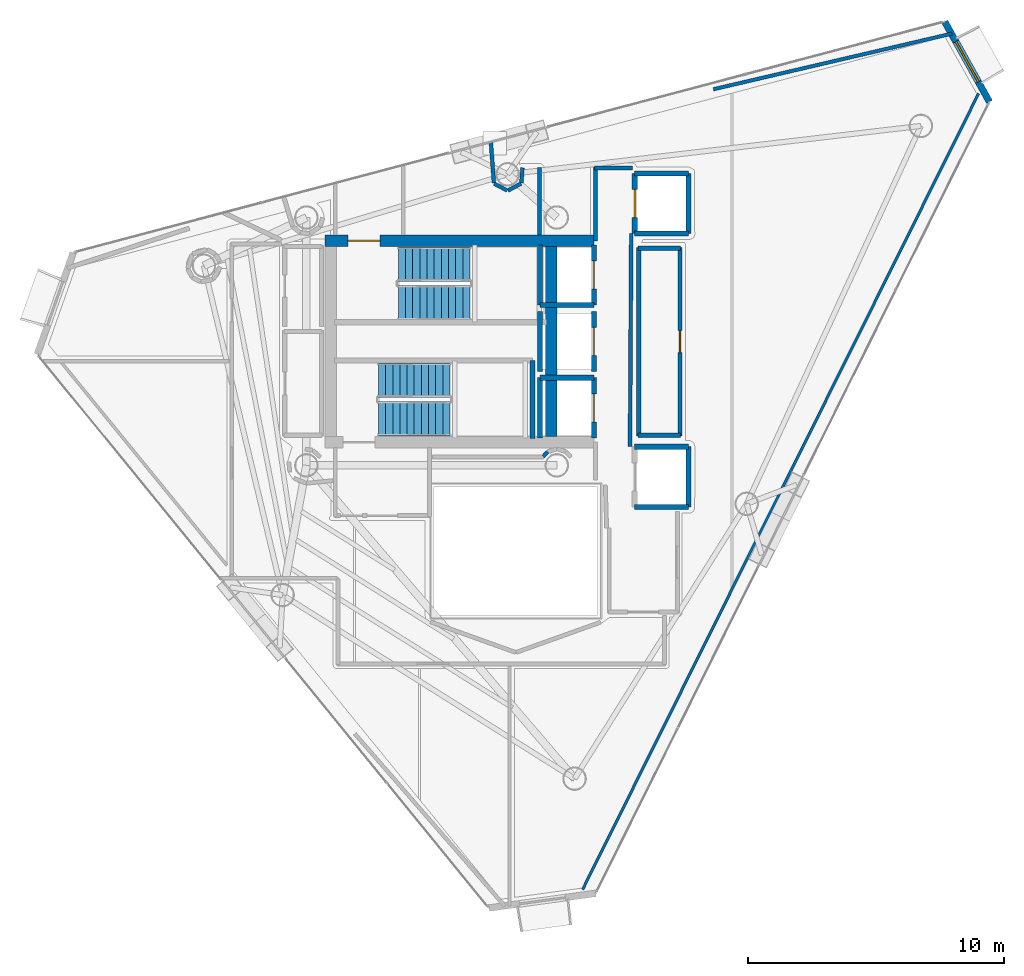
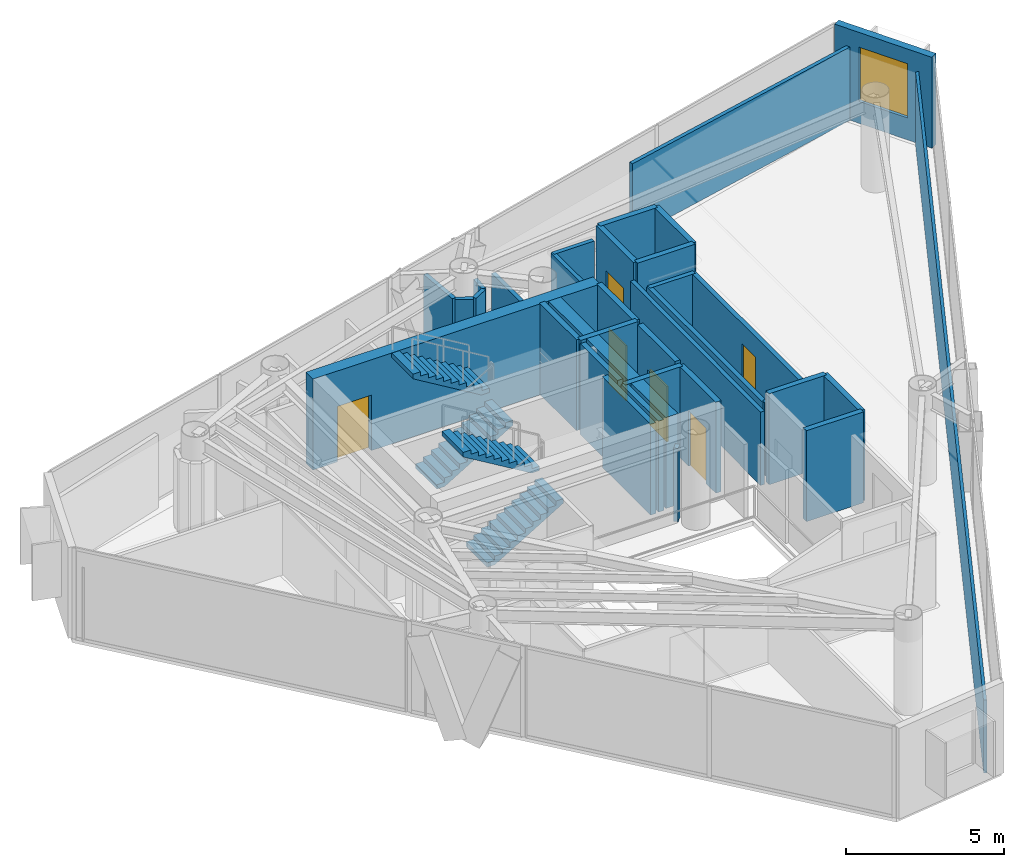
# One storey, part 20 of 23: 34 walls, 6 doors, 4 stair flights, 1 window, 7 openings, 2 elements without a shape of their own.
"""IFC4 building model written with IfcOpenShell, lengths in metres."""

from ifc_helpers import new_model, si_unit, direction, frame, frame_2d, origin, place, context, subcontext, project, spatial, polyline, rectangle, outline, extrude, material, layer, layer_set, type_object, element, fill, aggregate, save


model = new_model("IFC4")

# Units and contexts
model_context = context("Model", 3, precision=1e-05, world=origin(), true_north=direction((0.0, 1.0)))
body_context = subcontext(model_context, "Body", "Model", "MODEL_VIEW")
ifc_project = project(units=[si_unit("LENGTHUNIT", "METRE"), si_unit("AREAUNIT", "SQUARE_METRE"), si_unit("VOLUMEUNIT", "CUBIC_METRE"), si_unit("PLANEANGLEUNIT", "RADIAN"), si_unit("MASSUNIT", "GRAM", prefix="KILO")], contexts=[model_context])

# Site, building, storey
site_placement = place(None, origin())
site = spatial("IfcSite", under=ifc_project, at=site_placement, CompositionType="ELEMENT")
building_placement = place(site_placement, origin())
building = spatial("IfcBuilding", under=site, at=building_placement, Name="Qianvela Tower", CompositionType="ELEMENT")
storey_placement = place(building_placement, frame((0.0, 0.0, 313.89990234375)))
storey = spatial("IfcBuildingStorey", under=building, at=storey_placement, Name="L81", CompositionType="ELEMENT", Elevation=313.89990234375)

# Wall, opening, window
ifc_material_1 = material(Name="Terracotta Cladding on Concrete C40", Category="masonry")
ifc_layer_1 = layer(ifc_material_1, 0.260009765625)
ifc_layer_set_1 = layer_set([ifc_layer_1], Name="Terracotta Cladding on Concrete C40")
wall_type_1 = type_object("IfcWallType", Name="TERRACOTTA-WALL-260", PredefinedType="SOLIDWALL", material=ifc_layer_set_1)
wall_1_placement = place(storey_placement, frame((55.33447265625, 38.0791015625, 0.0), z_axis=(0.0, 0.0, 1.0), x_axis=(-0.487504666084, 0.873120381475, 0.0)))
wall_1 = element("IfcWall", 1, at=wall_1_placement, inside=storey, type_object=wall_type_1, Name="L81 Terracotta Chamfer Facet Wall 1", PredefinedType="SOLIDWALL", context=body_context, shape_type="SweptSolid", body=[
    extrude(rectangle(XDim=3.59423828125, YDim=0.260009765625, at=frame_2d((1.797119140625, 0.0))), origin(), (0.0, 0.0, 1.0), 3.52001953125),
])
opening_1_placement = place(wall_1_placement, frame((0.89697265625, 0.0, 0.85009765625)))
opening_1 = element("IfcOpeningElement", 2, at=opening_1_placement, cuts=wall_1, Name="Opening W-01", PredefinedType="OPENING", context=body_context, shape_type="SweptSolid", body=[
    extrude(rectangle(XDim=1.800048828125, YDim=2.10009765625, at=frame_2d((0.89990234375, 1.050048828125))), frame((0.0, 0.139892578125, 0.0), z_axis=(0.0, -1.0, 0.0), x_axis=(1.0, 0.0, 0.0)), (0.0, 0.0, 1.0), 0.280029296875),
])
ifc_material_2 = material(Name="Thermally Broken Aluminium and Low-E Glass", Category="aluminium")
window_type = type_object("IfcWindowType", Name="WIN-TC-1800x2100", PartitioningType="DOUBLE_PANEL_VERTICAL", PredefinedType="WINDOW", material=ifc_material_2)
window_placement = place(opening_1_placement, origin())
window = element("IfcWindow", 3, at=window_placement, inside=storey, type_object=window_type, Name="L81 Chamfer Facet Window 1.1", OverallHeight=2.10009765625, OverallWidth=1.800048828125, PartitioningType="SINGLE_PANEL", PredefinedType="WINDOW", context=body_context, shape_type="SweptSolid", body=[
    extrude(rectangle(XDim=1.800048828125, YDim=2.10009765625, at=frame_2d((0.89990234375, 1.050048828125))), frame((0.0, 0.030029296875, 0.0), z_axis=(0.0, -1.0, 0.0), x_axis=(1.0, 0.0, 0.0)), (0.0, 0.0, 1.0), 0.06005859375),
])
fill(opening_1, window)

# Wall, opening, door
ifc_material_3 = material(Name="Concrete C50", Category="concrete")
ifc_layer_2 = layer(ifc_material_3, 0.449951171875)
ifc_layer_set_2 = layer_set([ifc_layer_2], Name="Concrete C50")
wall_type_2 = type_object("IfcWallType", Name="WT-CORE-450", PredefinedType="SHEAR", material=ifc_layer_set_2)
wall_2_placement = place(storey_placement, frame((29.330078125, 32.64501953125, 0.0), z_axis=(0.0, 0.0, 1.0), x_axis=(1.0, 0.0, 0.0)))
wall_2 = element("IfcWall", 4, at=wall_2_placement, inside=storey, type_object=wall_type_2, Name="L81 North Core Shear Wall", PredefinedType="SHEAR", context=body_context, shape_type="SweptSolid", body=[
    extrude(rectangle(XDim=10.52001953125, YDim=0.449951171875, at=frame_2d((5.260009765625, 0.0))), origin(), (0.0, 0.0, 1.0), 3.52001953125),
])
opening_2_placement = place(wall_2_placement, frame((0.89501953125, 0.0, 0.0)))
opening_2 = element("IfcOpeningElement", 5, at=opening_2_placement, cuts=wall_2, Name="Opening D-ST1", PredefinedType="OPENING", context=body_context, shape_type="SweptSolid", body=[
    extrude(rectangle(XDim=1.25, YDim=2.14990234375, at=frame_2d((0.625, 1.074951171875))), frame((0.0, 0.23486328125, 0.0), z_axis=(0.0, -1.0, 0.0), x_axis=(1.0, 0.0, 0.0)), (0.0, 0.0, 1.0), 0.469970703125),
])
ifc_material_4 = material(Name="Galvanised Fire Steel Q355B", Category="steel")
door_type_1 = type_object("IfcDoorType", Name="DT-STAIR-FD90", OperationType="NOTDEFINED", PredefinedType="DOOR", material=ifc_material_4)
door_1_placement = place(opening_2_placement, origin())
door_1 = element("IfcDoor", 6, at=door_1_placement, inside=storey, type_object=door_type_1, Name="L81 Stair ST-1 Exit Door", OperationType="SINGLE_SWING_RIGHT", OverallHeight=2.14990234375, OverallWidth=1.25, PredefinedType="DOOR", context=body_context, shape_type="SweptSolid", body=[
    extrude(rectangle(XDim=1.25, YDim=2.14990234375, at=frame_2d((0.625, 1.074951171875))), frame((0.0, 0.02490234375, 0.0), z_axis=(0.0, -1.0, 0.0), x_axis=(1.0, 0.0, 0.0)), (0.0, 0.0, 1.0), 0.050048828125),
])
fill(opening_2, door_1)

# Walls
wall_3_placement = place(storey_placement, frame((38.179931640625, 24.97998046875, 0.0), z_axis=(0.0, 0.0, 1.0), x_axis=(0.0, 1.0, 0.0)))
element("IfcWall", 7, at=wall_3_placement, inside=storey, type_object=wall_type_2, Name="L81 East Spine Core Shear Wall", PredefinedType="SHEAR", context=body_context, shape_type="SweptSolid", body=[
    extrude(rectangle(XDim=7.43994140625, YDim=0.449951171875, at=frame_2d((3.719970703125, 0.0))), origin(), (0.0, 0.0, 1.0), 3.52001953125),
])
ifc_material_5 = material(Name="Fire-Rated Acoustic Gypsum Board")
ifc_layer_3 = layer(ifc_material_5, 0.14990234375)
ifc_layer_set_3 = layer_set([ifc_layer_3], Name="Fire-Rated Acoustic Gypsum Board")
wall_type_3 = type_object("IfcWallType", Name="WT-CORR-150", PredefinedType="PARTITIONING", material=ifc_layer_set_3)
wall_4_placement = place(storey_placement, frame((39.910888671875, 32.639892578125, 0.0), z_axis=(0.0, 0.0, 1.0), x_axis=(0.0, 1.0, 0.0)))
element("IfcWall", 8, at=wall_4_placement, inside=storey, type_object=wall_type_3, Name="L81 Partition 12", PredefinedType="PARTITIONING", context=body_context, shape_type="SweptSolid", body=[
    extrude(rectangle(XDim=2.880126953125, YDim=0.14990234375, at=frame_2d((1.43994140625, 0.0))), origin(), (0.0, 0.0, 1.0), 2.840087890625),
])
wall_5_placement = place(storey_placement, frame((39.8798828125, 35.489013671875, 0.0), z_axis=(0.0, 0.0, 1.0), x_axis=(1.0, 0.0, 0.0)))
element("IfcWall", 9, at=wall_5_placement, inside=storey, type_object=wall_type_3, Name="L81 Partition 13", PredefinedType="PARTITIONING", context=body_context, shape_type="SweptSolid", body=[
    extrude(rectangle(XDim=1.480224609375, YDim=0.14990234375, at=frame_2d((0.740234375, 0.0))), origin(), (0.0, 0.0, 1.0), 2.840087890625),
])
wall_6_placement = place(storey_placement, frame((41.3134765625, 32.919921875, 0.0), z_axis=(0.0, 0.0, 1.0), x_axis=(-0.005942518022, -0.999982343084, 0.0)))
element("IfcWall", 10, at=wall_6_placement, inside=storey, type_object=wall_type_3, Name="L81 Partition 14 seg 2", PredefinedType="PARTITIONING", context=body_context, shape_type="SweptSolid", body=[
    extrude(rectangle(XDim=8.340087890625, YDim=0.14990234375, at=frame_2d((4.169921875, 0.0))), origin(), (0.0, 0.0, 1.0), 2.840087890625),
])
wall_7_placement = place(storey_placement, frame((38.0380859375, 24.378173828125, 0.0), z_axis=(0.0, 0.0, 1.0), x_axis=(-0.673658387955, -0.739042878551, 0.0)))
element("IfcWall", 11, at=wall_7_placement, inside=storey, type_object=wall_type_3, Name="L81 Partition 36", PredefinedType="PARTITIONING", context=body_context, shape_type="SweptSolid", body=[
    extrude(rectangle(XDim=0.246337890625, YDim=0.14990234375, at=frame_2d((0.123046875, 0.0))), origin(), (0.0, 0.0, 1.0), 2.840087890625),
])
wall_8_placement = place(storey_placement, frame((35.818359375, 36.528564453125, 0.0), z_axis=(0.0, 0.0, 1.0), x_axis=(0.073342389609, -0.997306820335, 0.0)))
element("IfcWall", 12, at=wall_8_placement, inside=storey, type_object=wall_type_3, Name="L81 Partition 49", PredefinedType="PARTITIONING", context=body_context, shape_type="SweptSolid", body=[
    extrude(rectangle(XDim=1.631103515625, YDim=0.14990234375, at=frame_2d((0.8154296875, 0.0))), origin(), (0.0, 0.0, 1.0), 2.840087890625),
])
for number, where, z_axis, x_axis, name in (
    (13, (35.9541015625, 34.876708984375, 0.0), (0.0, 0.0, 1.0), (0.882047254832, -0.471160949405, 0.0), "L81 Partition 50"),
    (14, (36.490478515625, 34.605712890625, 0.0), (0.0, 0.0, 1.0), (0.882047254832, 0.471160949405, 0.0), "L81 Partition 51"),
):
    element("IfcWall", number, at=place(storey_placement, frame(where, z_axis=z_axis, x_axis=x_axis)), inside=storey, type_object=wall_type_3, Name=name, PredefinedType="PARTITIONING", context=body_context, shape_type="SweptSolid", body=[
        extrude(rectangle(XDim=0.5751953125, YDim=0.14990234375, at=frame_2d((0.28759765625, 0.0))), origin(), (0.0, 0.0, 1.0), 2.840087890625),
    ])
wall_9_placement = place(storey_placement, frame((37.01416015625, 34.90185546875, 0.0), z_axis=(0.0, 0.0, 1.0), x_axis=(0.073134230676, 0.997322106595, 0.0)))
element("IfcWall", 15, at=wall_9_placement, inside=storey, type_object=wall_type_3, Name="L81 Partition 52", PredefinedType="PARTITIONING", context=body_context, shape_type="SweptSolid", body=[
    extrude(rectangle(XDim=0.59765625, YDim=0.14990234375, at=frame_2d((0.298828125, 0.0))), origin(), (0.0, 0.0, 1.0), 2.840087890625),
])
wall_10_placement = place(storey_placement, frame((37.718994140625, 35.5, 0.0), z_axis=(0.0, 0.0, 1.0), x_axis=(0.0, -1.0, 0.0)))
element("IfcWall", 16, at=wall_10_placement, inside=storey, type_object=wall_type_3, Name="L81 Partition 54", PredefinedType="PARTITIONING", context=body_context, shape_type="SweptSolid", body=[
    extrude(rectangle(XDim=2.64208984375, YDim=0.14990234375, at=frame_2d((1.321044921875, 0.0))), origin(), (0.0, 0.0, 1.0), 2.840087890625),
])
ifc_material_6 = material(Name="Lightweight Gypsum Room Partition")
ifc_layer_4 = layer(ifc_material_6, 0.10498046875)
ifc_layer_set_4 = layer_set([ifc_layer_4], Name="Lightweight Gypsum Room Partition")
wall_type_4 = type_object("IfcWallType", Name="WT-PART-105", PredefinedType="PARTITIONING", material=ifc_layer_set_4)
wall_11_placement = place(storey_placement, frame((54.90625, 38.399658203125, 0.0), z_axis=(0.0, 0.0, 1.0), x_axis=(-0.445365926059, -0.895348642656, 0.0)))
element("IfcWall", 17, at=wall_11_placement, inside=storey, type_object=wall_type_4, Name="L81 Partition 94", PredefinedType="PARTITIONING", context=body_context, shape_type="SweptSolid", body=[
    extrude(rectangle(XDim=34.795654296875, YDim=0.10498046875, at=frame_2d((17.39794921875, 0.0))), origin(), (0.0, 0.0, 1.0), 2.840087890625),
])
ifc_material_7 = material(Name="Sanitary Service Chase Partition")
ifc_layer_5 = layer(ifc_material_7, 0.1650390625)
ifc_layer_set_5 = layer_set([ifc_layer_5], Name="Sanitary Service Chase Partition")
wall_type_5 = type_object("IfcWallType", Name="WT-PLUMB-165", PredefinedType="PLUMBINGWALL", material=ifc_layer_set_5)
wall_12_placement = place(storey_placement, frame((43.25, 25.031005859375, 0.0), z_axis=(0.0, 0.0, 1.0), x_axis=(-1.0, 0.0, 0.0)))
element("IfcWall", 18, at=wall_12_placement, inside=storey, type_object=wall_type_5, Name="L81 Partition 19", PredefinedType="PLUMBINGWALL", context=body_context, shape_type="SweptSolid", body=[
    extrude(rectangle(XDim=1.669921875, YDim=0.1650390625, at=frame_2d((0.8349609375, 0.0))), origin(), (0.0, 0.0, 1.0), 2.840087890625),
])
wall_13_placement = place(storey_placement, frame((41.611083984375, 25.0, 0.0), z_axis=(0.0, 0.0, 1.0), x_axis=(0.0, 1.0, 0.0)))
element("IfcWall", 19, at=wall_13_placement, inside=storey, type_object=wall_type_5, Name="L81 Partition 20", PredefinedType="PLUMBINGWALL", context=body_context, shape_type="SweptSolid", body=[
    extrude(rectangle(XDim=7.3798828125, YDim=0.1650390625, at=frame_2d((3.68994140625, 0.0))), origin(), (0.0, 0.0, 1.0), 2.840087890625),
])
wall_14_placement = place(storey_placement, frame((41.580078125, 32.34912109375, 0.0), z_axis=(0.0, 0.0, 1.0), x_axis=(1.0, 0.0, 0.0)))
element("IfcWall", 20, at=wall_14_placement, inside=storey, type_object=wall_type_5, Name="L81 Partition 21", PredefinedType="PLUMBINGWALL", context=body_context, shape_type="SweptSolid", body=[
    extrude(rectangle(XDim=1.669921875, YDim=0.1650390625, at=frame_2d((0.8349609375, 0.0))), origin(), (0.0, 0.0, 1.0), 2.840087890625),
])

# Wall, opening, door
wall_15_placement = place(storey_placement, frame((43.218994140625, 32.3798828125, 0.0), z_axis=(0.0, 0.0, 1.0), x_axis=(0.0, -1.0, 0.0)))
wall_15 = element("IfcWall", 21, at=wall_15_placement, inside=storey, type_object=wall_type_5, Name="L81 Partition 22", PredefinedType="PLUMBINGWALL", context=body_context, shape_type="SweptSolid", body=[
    extrude(rectangle(XDim=7.3798828125, YDim=0.1650390625, at=frame_2d((3.68994140625, 0.0))), origin(), (0.0, 0.0, 1.0), 2.840087890625),
])
opening_3_placement = place(wall_15_placement, frame((3.260009765625, 0.0, 0.0)))
opening_3 = element("IfcOpeningElement", 22, at=opening_3_placement, cuts=wall_15, Name="Opening D-WC1", PredefinedType="OPENING", context=body_context, shape_type="SweptSolid", body=[
    extrude(rectangle(XDim=0.860107421875, YDim=2.050048828125, at=frame_2d((0.43017578125, 1.02490234375))), frame((0.0, 0.092529296875, 0.0), z_axis=(0.0, -1.0, 0.0), x_axis=(1.0, 0.0, 0.0)), (0.0, 0.0, 1.0), 0.18505859375),
])
ifc_material_8 = material(Name="Moisture-Sealed Acoustic Timber Door", Category="wood")
door_type_2 = type_object("IfcDoorType", Name="DT-WC-860", OperationType="NOTDEFINED", PredefinedType="DOOR", material=ifc_material_8)
door_2_placement = place(opening_3_placement, origin())
door_2 = element("IfcDoor", 23, at=door_2_placement, inside=storey, type_object=door_type_2, Name="L81 Door L81 Accessible WC to Graduate Seminar Classroom L81-03", OperationType="SINGLE_SWING_RIGHT", OverallHeight=2.050048828125, OverallWidth=0.860107421875, PredefinedType="DOOR", context=body_context, shape_type="SweptSolid", body=[
    extrude(rectangle(XDim=0.860107421875, YDim=2.050048828125, at=frame_2d((0.43017578125, 1.02490234375))), frame((0.0, 0.02490234375, 0.0), z_axis=(0.0, -1.0, 0.0), x_axis=(1.0, 0.0, 0.0)), (0.0, 0.0, 1.0), 0.050048828125),
])
fill(opening_3, door_2)

# Walls
ifc_material_9 = material(Name="Acoustic Double Gypsum Stud Partition")
ifc_layer_6 = layer(ifc_material_9, 0.139892578125)
ifc_layer_set_6 = layer_set([ifc_layer_6], Name="Acoustic Double Gypsum Stud Partition")
wall_type_6 = type_object("IfcWallType", Name="WT-ROOM-140", PredefinedType="PARTITIONING", material=ifc_layer_set_6)
wall_16_placement = place(storey_placement, frame((44.529296875, 38.569091796875, 0.0), z_axis=(0.0, 0.0, 1.0), x_axis=(0.973827684703, 0.227287572264, 0.0)))
element("IfcWall", 24, at=wall_16_placement, inside=storey, type_object=wall_type_6, Name="L81 Partition 92 seg 1", PredefinedType="PARTITIONING", context=body_context, shape_type="SweptSolid", body=[
    extrude(rectangle(XDim=9.587890625, YDim=0.139892578125, at=frame_2d((4.7939453125, 0.0))), origin(), (0.0, 0.0, 1.0), 2.840087890625),
])
ifc_material_10 = material(Name="Concrete C50", Category="concrete")
ifc_layer_7 = layer(ifc_material_10, 0.199951171875)
ifc_layer_set_7 = layer_set([ifc_layer_7], Name="Concrete C50")
wall_type_7 = type_object("IfcWallType", Name="WT-SHAFT-200", PredefinedType="SOLIDWALL", material=ifc_layer_set_7)
wall_17_placement = place(storey_placement, frame((37.449951171875, 24.89990234375, 0.0), z_axis=(0.0, 0.0, 1.0), x_axis=(0.0, 1.0, 0.0)))
element("IfcWall", 25, at=wall_17_placement, inside=storey, type_object=wall_type_7, Name="L81 Stair ST-2 East Wall", PredefinedType="SOLIDWALL", context=body_context, shape_type="SweptSolid", body=[
    extrude(rectangle(XDim=3.06005859375, YDim=0.199951171875, at=frame_2d((1.530029296875, 0.0))), origin(), (0.0, 0.0, 1.0), 3.52001953125),
])

# Wall, opening, door
wall_18_placement = place(storey_placement, frame((39.85009765625, 30.1201171875, 0.0), z_axis=(0.0, 0.0, 1.0), x_axis=(0.0, 1.0, 0.0)))
wall_18 = element("IfcWall", 26, at=wall_18_placement, inside=storey, type_object=wall_type_7, Name="L81 Lift FL-1 E Shaft Wall", PredefinedType="SOLIDWALL", context=body_context, shape_type="SweptSolid", body=[
    extrude(rectangle(XDim=2.35986328125, YDim=0.199951171875, at=frame_2d((1.179931640625, 0.0))), origin(), (0.0, 0.0, 1.0), 3.52001953125),
])
opening_4_placement = place(wall_18_placement, frame((0.6298828125, 0.0, 0.0)))
opening_4 = element("IfcOpeningElement", 27, at=opening_4_placement, cuts=wall_18, Name="Opening LD-01", PredefinedType="OPENING", context=body_context, shape_type="SweptSolid", body=[
    extrude(rectangle(XDim=1.10009765625, YDim=2.14990234375, at=frame_2d((0.550048828125, 1.074951171875))), frame((0.0, 0.10986328125, 0.0), z_axis=(0.0, -1.0, 0.0), x_axis=(1.0, 0.0, 0.0)), (0.0, 0.0, 1.0), 0.219970703125),
])
ifc_material_11 = material(Name="Brushed Stainless Steel Lift Landing Door", Category="steel")
door_type_3 = type_object("IfcDoorType", Name="DT-LIFT-SLIDE-1100", OperationType="SLIDING_TO_LEFT", PredefinedType="DOOR", material=ifc_material_11)
door_3_placement = place(opening_4_placement, origin())
door_3 = element("IfcDoor", 28, at=door_3_placement, inside=storey, type_object=door_type_3, Name="L81 Lift FL-1 Sliding Landing Door", OperationType="SLIDING_TO_LEFT", OverallHeight=2.14990234375, OverallWidth=1.10009765625, PredefinedType="DOOR", context=body_context, shape_type="SweptSolid", body=[
    extrude(rectangle(XDim=1.10009765625, YDim=2.14990234375, at=frame_2d((0.550048828125, 1.074951171875))), frame((0.0, 0.02490234375, 0.0), z_axis=(0.0, -1.0, 0.0), x_axis=(1.0, 0.0, 0.0)), (0.0, 0.0, 1.0), 0.050048828125),
])
fill(opening_4, door_3)

# Walls
wall_19_placement = place(storey_placement, frame((37.75, 30.1201171875, 0.0), z_axis=(0.0, 0.0, 1.0), x_axis=(0.0, 1.0, 0.0)))
element("IfcWall", 29, at=wall_19_placement, inside=storey, type_object=wall_type_7, Name="L81 Lift FL-1 W Shaft Wall", PredefinedType="SOLIDWALL", context=body_context, shape_type="SweptSolid", body=[
    extrude(rectangle(XDim=2.35986328125, YDim=0.199951171875, at=frame_2d((1.179931640625, 0.0))), origin(), (0.0, 0.0, 1.0), 3.52001953125),
])
wall_20_placement = place(storey_placement, frame((37.75, 30.1201171875, 0.0), z_axis=(0.0, 0.0, 1.0), x_axis=(1.0, 0.0, 0.0)))
element("IfcWall", 30, at=wall_20_placement, inside=storey, type_object=wall_type_7, Name="L81 Lift FL-1 S Shaft Wall", PredefinedType="SOLIDWALL", context=body_context, shape_type="SweptSolid", body=[
    extrude(rectangle(XDim=2.10009765625, YDim=0.199951171875, at=frame_2d((1.050048828125, 0.0))), origin(), (0.0, 0.0, 1.0), 3.52001953125),
])

# Wall, opening, door
wall_21_placement = place(storey_placement, frame((39.85009765625, 24.919921875, 0.0), z_axis=(0.0, 0.0, 1.0), x_axis=(0.0, 1.0, 0.0)))
wall_21 = element("IfcWall", 31, at=wall_21_placement, inside=storey, type_object=wall_type_7, Name="L81 Lift FL-2 E Shaft Wall", PredefinedType="SOLIDWALL", context=body_context, shape_type="SweptSolid", body=[
    extrude(rectangle(XDim=2.360107421875, YDim=0.199951171875, at=frame_2d((1.18017578125, 0.0))), origin(), (0.0, 0.0, 1.0), 3.52001953125),
])
opening_5_placement = place(wall_21_placement, frame((0.6298828125, 0.0, 0.0)))
opening_5 = element("IfcOpeningElement", 32, at=opening_5_placement, cuts=wall_21, Name="Opening LD-01", PredefinedType="OPENING", context=body_context, shape_type="SweptSolid", body=[
    extrude(rectangle(XDim=1.10009765625, YDim=2.14990234375, at=frame_2d((0.550048828125, 1.074951171875))), frame((0.0, 0.10986328125, 0.0), z_axis=(0.0, -1.0, 0.0), x_axis=(1.0, 0.0, 0.0)), (0.0, 0.0, 1.0), 0.219970703125),
])
door_4_placement = place(opening_5_placement, origin())
door_4 = element("IfcDoor", 33, at=door_4_placement, inside=storey, type_object=door_type_3, Name="L81 Lift FL-2 Sliding Landing Door", OperationType="SLIDING_TO_LEFT", OverallHeight=2.14990234375, OverallWidth=1.10009765625, PredefinedType="DOOR", context=body_context, shape_type="SweptSolid", body=[
    extrude(rectangle(XDim=1.10009765625, YDim=2.14990234375, at=frame_2d((0.550048828125, 1.074951171875))), frame((0.0, 0.02490234375, 0.0), z_axis=(0.0, -1.0, 0.0), x_axis=(1.0, 0.0, 0.0)), (0.0, 0.0, 1.0), 0.050048828125),
])
fill(opening_5, door_4)

# Walls
wall_22_placement = place(storey_placement, frame((37.75, 24.919921875, 0.0), z_axis=(0.0, 0.0, 1.0), x_axis=(0.0, 1.0, 0.0)))
element("IfcWall", 34, at=wall_22_placement, inside=storey, type_object=wall_type_7, Name="L81 Lift FL-2 W Shaft Wall", PredefinedType="SOLIDWALL", context=body_context, shape_type="SweptSolid", body=[
    extrude(rectangle(XDim=2.360107421875, YDim=0.199951171875, at=frame_2d((1.18017578125, 0.0))), origin(), (0.0, 0.0, 1.0), 3.52001953125),
])
wall_23_placement = place(storey_placement, frame((37.75, 27.280029296875, 0.0), z_axis=(0.0, 0.0, 1.0), x_axis=(1.0, 0.0, 0.0)))
element("IfcWall", 35, at=wall_23_placement, inside=storey, type_object=wall_type_7, Name="L81 Lift FL-2 N Shaft Wall", PredefinedType="SOLIDWALL", context=body_context, shape_type="SweptSolid", body=[
    extrude(rectangle(XDim=2.10009765625, YDim=0.199951171875, at=frame_2d((1.050048828125, 0.0))), origin(), (0.0, 0.0, 1.0), 3.52001953125),
])

# Wall, opening, door
wall_24_placement = place(storey_placement, frame((39.85009765625, 27.52001953125, 0.0), z_axis=(0.0, 0.0, 1.0), x_axis=(0.0, 1.0, 0.0)))
wall_24 = element("IfcWall", 36, at=wall_24_placement, inside=storey, type_object=wall_type_7, Name="L81 Lift PL-H1 E Shaft Wall", PredefinedType="SOLIDWALL", context=body_context, shape_type="SweptSolid", body=[
    extrude(rectangle(XDim=2.35986328125, YDim=0.199951171875, at=frame_2d((1.179931640625, 0.0))), origin(), (0.0, 0.0, 1.0), 3.52001953125),
])
opening_6_placement = place(wall_24_placement, frame((0.6298828125, 0.0, 0.0)))
opening_6 = element("IfcOpeningElement", 37, at=opening_6_placement, cuts=wall_24, Name="Opening LD-01", PredefinedType="OPENING", context=body_context, shape_type="SweptSolid", body=[
    extrude(rectangle(XDim=1.10009765625, YDim=2.14990234375, at=frame_2d((0.550048828125, 1.074951171875))), frame((0.0, 0.10986328125, 0.0), z_axis=(0.0, -1.0, 0.0), x_axis=(1.0, 0.0, 0.0)), (0.0, 0.0, 1.0), 0.219970703125),
])
door_5_placement = place(opening_6_placement, origin())
door_5 = element("IfcDoor", 38, at=door_5_placement, inside=storey, type_object=door_type_3, Name="L81 Lift PL-H1 Sliding Landing Door", OperationType="SLIDING_TO_LEFT", OverallHeight=2.14990234375, OverallWidth=1.10009765625, PredefinedType="DOOR", context=body_context, shape_type="SweptSolid", body=[
    extrude(rectangle(XDim=1.10009765625, YDim=2.14990234375, at=frame_2d((0.550048828125, 1.074951171875))), frame((0.0, 0.02490234375, 0.0), z_axis=(0.0, -1.0, 0.0), x_axis=(1.0, 0.0, 0.0)), (0.0, 0.0, 1.0), 0.050048828125),
])
fill(opening_6, door_5)

# Walls
wall_25_placement = place(storey_placement, frame((37.75, 27.52001953125, 0.0), z_axis=(0.0, 0.0, 1.0), x_axis=(0.0, 1.0, 0.0)))
element("IfcWall", 39, at=wall_25_placement, inside=storey, type_object=wall_type_7, Name="L81 Lift PL-H1 W Shaft Wall", PredefinedType="SOLIDWALL", context=body_context, shape_type="SweptSolid", body=[
    extrude(rectangle(XDim=2.35986328125, YDim=0.199951171875, at=frame_2d((1.179931640625, 0.0))), origin(), (0.0, 0.0, 1.0), 3.52001953125),
])
wall_26_placement = place(storey_placement, frame((43.550048828125, 22.219970703125, 0.0), z_axis=(0.0, 0.0, 1.0), x_axis=(0.0, 1.0, 0.0)))
element("IfcWall", 40, at=wall_26_placement, inside=storey, type_object=wall_type_7, Name="L81 Lift PL-H2 E Shaft Wall", PredefinedType="SOLIDWALL", context=body_context, shape_type="SweptSolid", body=[
    extrude(rectangle(XDim=2.360107421875, YDim=0.199951171875, at=frame_2d((1.18017578125, 0.0))), origin(), (0.0, 0.0, 1.0), 3.52001953125),
])
for number, where, z_axis, x_axis, name in (
    (41, (41.449951171875, 24.580078125, 0.0), (0.0, 0.0, 1.0), (1.0, 0.0, 0.0), "L81 Lift PL-H2 N Shaft Wall"),
    (42, (41.449951171875, 22.219970703125, 0.0), (0.0, 0.0, 1.0), (1.0, 0.0, 0.0), "L81 Lift PL-H2 S Shaft Wall"),
):
    element("IfcWall", number, at=place(storey_placement, frame(where, z_axis=z_axis, x_axis=x_axis)), inside=storey, type_object=wall_type_7, Name=name, PredefinedType="SOLIDWALL", context=body_context, shape_type="SweptSolid", body=[
        extrude(rectangle(XDim=2.10009765625, YDim=0.199951171875, at=frame_2d((1.050048828125, 0.0))), origin(), (0.0, 0.0, 1.0), 3.52001953125),
    ])
wall_27_placement = place(storey_placement, frame((43.550048828125, 32.919921875, 0.0), z_axis=(0.0, 0.0, 1.0), x_axis=(0.0, 1.0, 0.0)))
element("IfcWall", 43, at=wall_27_placement, inside=storey, type_object=wall_type_7, Name="L81 Lift PL-H3 E Shaft Wall", PredefinedType="SOLIDWALL", context=body_context, shape_type="SweptSolid", body=[
    extrude(rectangle(XDim=2.360107421875, YDim=0.199951171875, at=frame_2d((1.18017578125, 0.0))), origin(), (0.0, 0.0, 1.0), 3.52001953125),
])

# Wall, opening, door
wall_28_placement = place(storey_placement, frame((41.449951171875, 32.919921875, 0.0), z_axis=(0.0, 0.0, 1.0), x_axis=(0.0, 1.0, 0.0)))
wall_28 = element("IfcWall", 44, at=wall_28_placement, inside=storey, type_object=wall_type_7, Name="L81 Lift PL-H3 W Shaft Wall", PredefinedType="SOLIDWALL", context=body_context, shape_type="SweptSolid", body=[
    extrude(rectangle(XDim=2.360107421875, YDim=0.199951171875, at=frame_2d((1.18017578125, 0.0))), origin(), (0.0, 0.0, 1.0), 3.52001953125),
])
opening_7_placement = place(wall_28_placement, frame((0.6298828125, 0.0, 0.0)))
opening_7 = element("IfcOpeningElement", 45, at=opening_7_placement, cuts=wall_28, Name="Opening LD-01", PredefinedType="OPENING", context=body_context, shape_type="SweptSolid", body=[
    extrude(rectangle(XDim=1.10009765625, YDim=2.14990234375, at=frame_2d((0.550048828125, 1.074951171875))), frame((0.0, 0.10986328125, 0.0), z_axis=(0.0, -1.0, 0.0), x_axis=(1.0, 0.0, 0.0)), (0.0, 0.0, 1.0), 0.219970703125),
])
door_6_placement = place(opening_7_placement, origin())
door_6 = element("IfcDoor", 46, at=door_6_placement, inside=storey, type_object=door_type_3, Name="L81 Lift PL-H3 Sliding Landing Door", OperationType="SLIDING_TO_LEFT", OverallHeight=2.14990234375, OverallWidth=1.10009765625, PredefinedType="DOOR", context=body_context, shape_type="SweptSolid", body=[
    extrude(rectangle(XDim=1.10009765625, YDim=2.14990234375, at=frame_2d((0.550048828125, 1.074951171875))), frame((0.0, 0.02490234375, 0.0), z_axis=(0.0, -1.0, 0.0), x_axis=(1.0, 0.0, 0.0)), (0.0, 0.0, 1.0), 0.050048828125),
])
fill(opening_7, door_6)

# Walls
for number, where, z_axis, x_axis, name in (
    (47, (41.449951171875, 35.280029296875, 0.0), (0.0, 0.0, 1.0), (1.0, 0.0, 0.0), "L81 Lift PL-H3 N Shaft Wall"),
    (48, (41.449951171875, 32.919921875, 0.0), (0.0, 0.0, 1.0), (1.0, 0.0, 0.0), "L81 Lift PL-H3 S Shaft Wall"),
):
    element("IfcWall", number, at=place(storey_placement, frame(where, z_axis=z_axis, x_axis=x_axis)), inside=storey, type_object=wall_type_7, Name=name, PredefinedType="SOLIDWALL", context=body_context, shape_type="SweptSolid", body=[
        extrude(rectangle(XDim=2.10009765625, YDim=0.199951171875, at=frame_2d((1.050048828125, 0.0))), origin(), (0.0, 0.0, 1.0), 3.52001953125),
    ])

# Stair, stair flights
ifc_material_12 = material(Name="Concrete C40", Category="concrete")
stair_type = type_object("IfcStairType", Name="ST-DOGLEG-1350-R168-N22", PredefinedType="HALF_TURN_STAIR", material=ifc_material_12)
stair_1_placement = place(storey_placement, origin())
stair_1 = element("IfcStair", 49, at=stair_1_placement, inside=storey, type_object=stair_type, Name="L81 Smoke-Proof Core Stair ST-1", PredefinedType="HALF_TURN_STAIR")
ifc_material_13 = material(Name="Concrete C40", Category="concrete")
stair_flight_type = type_object("IfcStairFlightType", Name="STF-STRAIGHT-R168-P11", PredefinedType="STRAIGHT", material=ifc_material_13)
stair_flight_1_placement = place(storey_placement, frame((32.199951171875, 30.215087890625, 0.0), z_axis=(0.0, 0.0, 1.0), x_axis=(1.0, 0.0, 0.0)))
stair_flight_1 = element("IfcStairFlight", 50, at=stair_flight_1_placement, type_object=stair_flight_type, Name="ST-1 flight 1", NumberOfRisers=11, NumberOfTreads=10, PredefinedType="STRAIGHT", RiserHeight=0.168181818, TreadLength=0.28, context=body_context, shape_type="SweptSolid", body=[
    extrude(outline(polyline([(0.0, 0.0), (0.0, 0.168212890625), (0.280029296875, 0.168212890625), (0.280029296875, 0.33642578125), (0.56005859375, 0.33642578125), (0.56005859375, 0.504638671875), (0.840087890625, 0.504638671875), (0.840087890625, 0.672607421875), (1.1201171875, 0.672607421875), (1.1201171875, 0.8408203125), (1.39990234375, 0.8408203125), (1.39990234375, 1.009033203125), (1.679931640625, 1.009033203125), (1.679931640625, 1.17724609375), (1.9599609375, 1.17724609375), (1.9599609375, 1.345458984375), (2.239990234375, 1.345458984375), (2.239990234375, 1.513671875), (2.52001953125, 1.513671875), (2.52001953125, 1.681884765625), (2.800048828125, 1.681884765625), (2.800048828125, 1.85009765625), (2.800048828125, 1.5068359375), (0.291015625, 0.0), (0.0, 0.0)])), frame((0.0, 0.675048828125, 0.0), z_axis=(0.0, -1.0, 0.0), x_axis=(1.0, 0.0, 0.0)), (0.0, 0.0, 1.0), 1.35009765625),
])
stair_flight_2_placement = place(storey_placement, frame((35.0, 31.72509765625, 1.85009765625), z_axis=(0.0, 0.0, 1.0), x_axis=(-1.0, 0.0, 0.0)))
stair_flight_2 = element("IfcStairFlight", 51, at=stair_flight_2_placement, type_object=stair_flight_type, Name="ST-1 flight 2", NumberOfRisers=11, NumberOfTreads=10, PredefinedType="STRAIGHT", RiserHeight=0.168181818, TreadLength=0.28, context=body_context, shape_type="SweptSolid", body=[
    extrude(outline(polyline([(0.0, 0.0), (0.0, 0.168212890625), (0.280029296875, 0.168212890625), (0.280029296875, 0.33642578125), (0.56005859375, 0.33642578125), (0.56005859375, 0.504638671875), (0.840087890625, 0.504638671875), (0.840087890625, 0.672607421875), (1.1201171875, 0.672607421875), (1.1201171875, 0.8408203125), (1.39990234375, 0.8408203125), (1.39990234375, 1.009033203125), (1.679931640625, 1.009033203125), (1.679931640625, 1.17724609375), (1.9599609375, 1.17724609375), (1.9599609375, 1.345458984375), (2.239990234375, 1.345458984375), (2.239990234375, 1.513671875), (2.52001953125, 1.513671875), (2.52001953125, 1.681884765625), (2.800048828125, 1.681884765625), (2.800048828125, 1.85009765625), (2.800048828125, 1.5068359375), (0.291015625, 0.0), (0.0, 0.0)])), frame((0.0, 0.675048828125, 0.0), z_axis=(0.0, -1.0, 0.0), x_axis=(1.0, 0.0, 0.0)), (0.0, 0.0, 1.0), 1.35009765625),
])
aggregate(stair_1, [stair_flight_1, stair_flight_2])

stair_2_placement = place(storey_placement, origin())
stair_2 = element("IfcStair", 52, at=stair_2_placement, inside=storey, type_object=stair_type, Name="L81 Smoke-Proof Core Stair ST-2", PredefinedType="HALF_TURN_STAIR")
stair_flight_3_placement = place(storey_placement, frame((31.419921875, 25.675048828125, 0.0), z_axis=(0.0, 0.0, 1.0), x_axis=(1.0, 0.0, 0.0)))
stair_flight_3 = element("IfcStairFlight", 53, at=stair_flight_3_placement, type_object=stair_flight_type, Name="ST-2 flight 1", NumberOfRisers=11, NumberOfTreads=10, PredefinedType="STRAIGHT", RiserHeight=0.168181818, TreadLength=0.28, context=body_context, shape_type="SweptSolid", body=[
    extrude(outline(polyline([(0.0, 0.0), (0.0, 0.168212890625), (0.280029296875, 0.168212890625), (0.280029296875, 0.33642578125), (0.56005859375, 0.33642578125), (0.56005859375, 0.504638671875), (0.840087890625, 0.504638671875), (0.840087890625, 0.672607421875), (1.1201171875, 0.672607421875), (1.1201171875, 0.8408203125), (1.39990234375, 0.8408203125), (1.39990234375, 1.009033203125), (1.679931640625, 1.009033203125), (1.679931640625, 1.17724609375), (1.9599609375, 1.17724609375), (1.9599609375, 1.345458984375), (2.239990234375, 1.345458984375), (2.239990234375, 1.513671875), (2.52001953125, 1.513671875), (2.52001953125, 1.681884765625), (2.800048828125, 1.681884765625), (2.800048828125, 1.85009765625), (2.800048828125, 1.5068359375), (0.291015625, 0.0), (0.0, 0.0)])), frame((0.0, 0.675048828125, 0.0), z_axis=(0.0, -1.0, 0.0), x_axis=(1.0, 0.0, 0.0)), (0.0, 0.0, 1.0), 1.35009765625),
])
stair_flight_4_placement = place(storey_placement, frame((34.219970703125, 27.18505859375, 1.85009765625), z_axis=(0.0, 0.0, 1.0), x_axis=(-1.0, 0.0, 0.0)))
stair_flight_4 = element("IfcStairFlight", 54, at=stair_flight_4_placement, type_object=stair_flight_type, Name="ST-2 flight 2", NumberOfRisers=11, NumberOfTreads=10, PredefinedType="STRAIGHT", RiserHeight=0.168181818, TreadLength=0.28, context=body_context, shape_type="SweptSolid", body=[
    extrude(outline(polyline([(0.0, 0.0), (0.0, 0.168212890625), (0.280029296875, 0.168212890625), (0.280029296875, 0.33642578125), (0.56005859375, 0.33642578125), (0.56005859375, 0.504638671875), (0.840087890625, 0.504638671875), (0.840087890625, 0.672607421875), (1.1201171875, 0.672607421875), (1.1201171875, 0.8408203125), (1.39990234375, 0.8408203125), (1.39990234375, 1.009033203125), (1.679931640625, 1.009033203125), (1.679931640625, 1.17724609375), (1.9599609375, 1.17724609375), (1.9599609375, 1.345458984375), (2.239990234375, 1.345458984375), (2.239990234375, 1.513671875), (2.52001953125, 1.513671875), (2.52001953125, 1.681884765625), (2.800048828125, 1.681884765625), (2.800048828125, 1.85009765625), (2.800048828125, 1.5068359375), (0.291015625, 0.0), (0.0, 0.0)])), frame((0.0, 0.675048828125, 0.0), z_axis=(0.0, -1.0, 0.0), x_axis=(1.0, 0.0, 0.0)), (0.0, 0.0, 1.0), 1.35009765625),
])
aggregate(stair_2, [stair_flight_3, stair_flight_4])

save(model, "model.ifc")
